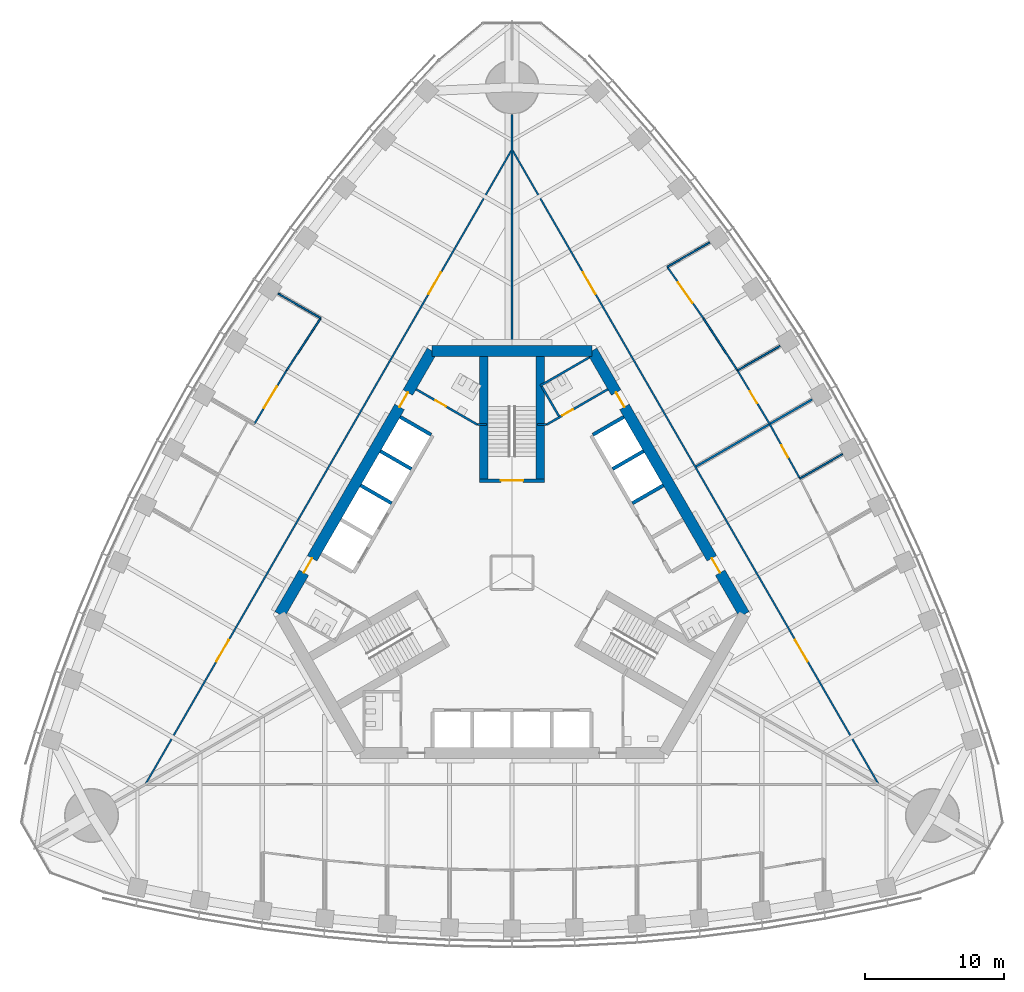
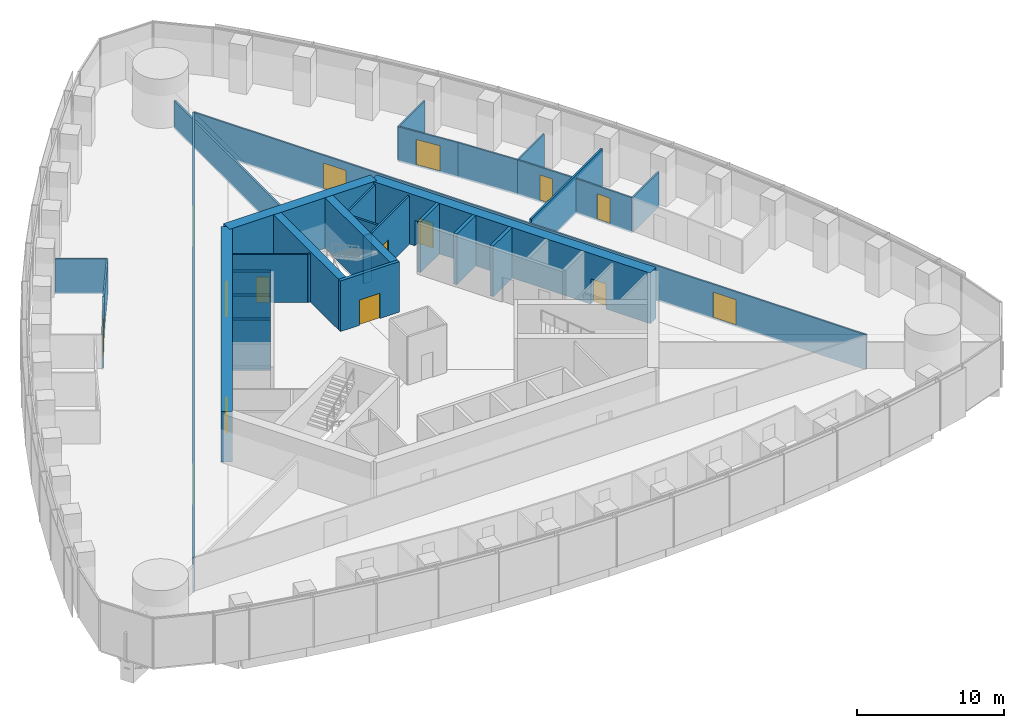
# One storey, part 15 of 21: 32 walls, 15 doors, 15 openings.
"""IFC4 building model written with IfcOpenShell, lengths in metres."""

from ifc_helpers import new_model, si_unit, direction, frame, frame_2d, origin, place, context, subcontext, project, spatial, rectangle, extrude, material, layer, layer_set, type_object, element, fill, save


model = new_model("IFC4")

# Units and contexts
model_context = context("Model", 3, precision=1e-05, world=origin(), true_north=direction((0.0, 1.0)))
body_context = subcontext(model_context, "Body", "Model", "MODEL_VIEW")
ifc_project = project(units=[si_unit("LENGTHUNIT", "METRE"), si_unit("AREAUNIT", "SQUARE_METRE"), si_unit("VOLUMEUNIT", "CUBIC_METRE"), si_unit("PLANEANGLEUNIT", "RADIAN"), si_unit("MASSUNIT", "GRAM", prefix="KILO")], contexts=[model_context])

# Site, building, storey
site_placement = place(None, origin())
site = spatial("IfcSite", under=ifc_project, at=site_placement, CompositionType="ELEMENT")
building_placement = place(site_placement, origin())
building = spatial("IfcBuilding", under=site, at=building_placement, Name="Trefoil Bronze Tower", CompositionType="ELEMENT")
storey_placement = place(building_placement, frame((0.0, 0.0, 145.10009765625)))
storey = spatial("IfcBuildingStorey", under=building, at=storey_placement, Name="L33", CompositionType="ELEMENT", Elevation=145.10009765625)

# Wall, openings, doors
ifc_material_1 = material(Name="Concrete B80", Category="concrete")
ifc_layer_1 = layer(ifc_material_1, 0.800048828125)
ifc_layer_set_1 = layer_set([ifc_layer_1], Name="Core wall 800")
wall_type_1 = type_object("IfcWallType", Name="Core wall 800", PredefinedType="SHEAR", material=ifc_layer_set_1)
wall_1_placement = place(storey_placement, frame((16.7431640625, -3.0, 0.0), z_axis=(0.0, 0.0, 1.0), x_axis=(-0.500002442456, 0.866023993627, 0.0)))
wall_1 = element("IfcWall", 1, at=wall_1_placement, inside=storey, type_object=wall_type_1, Name="Core long wall 2 L33", PredefinedType="SHEAR", context=body_context, shape_type="SweptSolid", body=[
    extrude(rectangle(XDim=21.939453125, YDim=0.800048828125, at=frame_2d((10.9697265625, 0.0))), origin(), (0.0, 0.0, 1.0), 4.199951171875),
])
opening_1_placement = place(wall_1_placement, frame((17.269775390625, 0.0, 0.0)))
opening_1 = element("IfcOpeningElement", 2, at=opening_1_placement, cuts=wall_1, Name="Opening D2", PredefinedType="OPENING", context=body_context, shape_type="SweptSolid", body=[
    extrude(rectangle(XDim=1.199951171875, YDim=2.10009765625, at=frame_2d((0.60009765625, 1.050048828125))), frame((0.0, 0.409912109375, 0.0), z_axis=(0.0, -1.0, 0.0), x_axis=(1.0, 0.0, 0.0)), (0.0, 0.0, 1.0), 0.820068359375),
])
opening_2_placement = place(wall_1_placement, frame((3.4697265625, 0.0, 0.0)))
opening_2 = element("IfcOpeningElement", 3, at=opening_2_placement, cuts=wall_1, Name="Opening D2", PredefinedType="OPENING", context=body_context, shape_type="SweptSolid", body=[
    extrude(rectangle(XDim=1.199951171875, YDim=2.10009765625, at=frame_2d((0.60009765625, 1.050048828125))), frame((0.0, 0.409912109375, 0.0), z_axis=(0.0, -1.0, 0.0), x_axis=(1.0, 0.0, 0.0)), (0.0, 0.0, 1.0), 0.820068359375),
])
ifc_material_2 = material(Name="Steel door", Category="steel")
door_type_1 = type_object("IfcDoorType", Name="Lobby door 1200", OperationType="SINGLE_SWING_RIGHT", PredefinedType="DOOR", material=ifc_material_2)
door_1_placement = place(opening_1_placement, origin())
door_1 = element("IfcDoor", 4, at=door_1_placement, inside=storey, type_object=door_type_1, Name="Lobby door F2+ L33", OperationType="SINGLE_SWING_RIGHT", OverallHeight=2.10009765625, OverallWidth=1.199951171875, PredefinedType="DOOR", context=body_context, shape_type="SweptSolid", body=[
    extrude(rectangle(XDim=1.199951171875, YDim=2.10009765625, at=frame_2d((0.60009765625, 1.050048828125))), frame((0.0, 0.02490234375, 0.0), z_axis=(0.0, -1.0, 0.0), x_axis=(1.0, 0.0, 0.0)), (0.0, 0.0, 1.0), 0.050048828125),
])
fill(opening_1, door_1)
door_2_placement = place(opening_2_placement, origin())
door_2 = element("IfcDoor", 5, at=door_2_placement, inside=storey, type_object=door_type_1, Name="Lobby door F2- L33", OperationType="SINGLE_SWING_LEFT", OverallHeight=2.10009765625, OverallWidth=1.199951171875, PredefinedType="DOOR", context=body_context, shape_type="SweptSolid", body=[
    extrude(rectangle(XDim=1.199951171875, YDim=2.10009765625, at=frame_2d((0.60009765625, 1.050048828125))), frame((0.0, 0.02490234375, 0.0), z_axis=(0.0, -1.0, 0.0), x_axis=(1.0, 0.0, 0.0)), (0.0, 0.0, 1.0), 0.050048828125),
])
fill(opening_2, door_2)

# Wall
wall_2_placement = place(storey_placement, frame((5.7734375, 16.0, 0.0), z_axis=(0.0, 0.0, 1.0), x_axis=(-1.0, 0.0, 0.0)))
element("IfcWall", 6, at=wall_2_placement, inside=storey, type_object=wall_type_1, Name="Core short wall 2 L33", PredefinedType="SHEAR", context=body_context, shape_type="SweptSolid", body=[
    extrude(rectangle(XDim=11.546875, YDim=0.800048828125, at=frame_2d((5.7734375, 0.0))), origin(), (0.0, 0.0, 1.0), 4.199951171875),
])

# Wall, openings, doors
wall_3_placement = place(storey_placement, frame((-5.7734375, 16.0, 0.0), z_axis=(0.0, 0.0, 1.0), x_axis=(-0.500002442456, -0.866023993627, 0.0)))
wall_3 = element("IfcWall", 7, at=wall_3_placement, inside=storey, type_object=wall_type_1, Name="Core long wall 3 L33", PredefinedType="SHEAR", context=body_context, shape_type="SweptSolid", body=[
    extrude(rectangle(XDim=21.939453125, YDim=0.800048828125, at=frame_2d((10.9697265625, 0.0))), origin(), (0.0, 0.0, 1.0), 4.199951171875),
])
opening_3_placement = place(wall_3_placement, frame((17.269775390625, 0.0, 0.0)))
opening_3 = element("IfcOpeningElement", 8, at=opening_3_placement, cuts=wall_3, Name="Opening D2", PredefinedType="OPENING", context=body_context, shape_type="SweptSolid", body=[
    extrude(rectangle(XDim=1.199951171875, YDim=2.10009765625, at=frame_2d((0.60009765625, 1.050048828125))), frame((0.0, 0.409912109375, 0.0), z_axis=(0.0, -1.0, 0.0), x_axis=(1.0, 0.0, 0.0)), (0.0, 0.0, 1.0), 0.820068359375),
])
opening_4_placement = place(wall_3_placement, frame((3.4697265625, 0.0, 0.0)))
opening_4 = element("IfcOpeningElement", 9, at=opening_4_placement, cuts=wall_3, Name="Opening D2", PredefinedType="OPENING", context=body_context, shape_type="SweptSolid", body=[
    extrude(rectangle(XDim=1.199951171875, YDim=2.10009765625, at=frame_2d((0.60009765625, 1.050048828125))), frame((0.0, 0.409912109375, 0.0), z_axis=(0.0, -1.0, 0.0), x_axis=(1.0, 0.0, 0.0)), (0.0, 0.0, 1.0), 0.820068359375),
])
door_3_placement = place(opening_3_placement, origin())
door_3 = element("IfcDoor", 10, at=door_3_placement, inside=storey, type_object=door_type_1, Name="Lobby door F3+ L33", OperationType="SINGLE_SWING_RIGHT", OverallHeight=2.10009765625, OverallWidth=1.199951171875, PredefinedType="DOOR", context=body_context, shape_type="SweptSolid", body=[
    extrude(rectangle(XDim=1.199951171875, YDim=2.10009765625, at=frame_2d((0.60009765625, 1.050048828125))), frame((0.0, 0.02490234375, 0.0), z_axis=(0.0, -1.0, 0.0), x_axis=(1.0, 0.0, 0.0)), (0.0, 0.0, 1.0), 0.050048828125),
])
fill(opening_3, door_3)
door_4_placement = place(opening_4_placement, origin())
door_4 = element("IfcDoor", 11, at=door_4_placement, inside=storey, type_object=door_type_1, Name="Lobby door F3- L33", OperationType="SINGLE_SWING_LEFT", OverallHeight=2.10009765625, OverallWidth=1.199951171875, PredefinedType="DOOR", context=body_context, shape_type="SweptSolid", body=[
    extrude(rectangle(XDim=1.199951171875, YDim=2.10009765625, at=frame_2d((0.60009765625, 1.050048828125))), frame((0.0, 0.02490234375, 0.0), z_axis=(0.0, -1.0, 0.0), x_axis=(1.0, 0.0, 0.0)), (0.0, 0.0, 1.0), 0.050048828125),
])
fill(opening_4, door_4)

ifc_material_3 = material(Name="Glazed partition", Category="glass")
ifc_layer_2 = layer(ifc_material_3, 0.1201171875)
ifc_layer_set_2 = layer_set([ifc_layer_2], Name="Glazed partition 120")
wall_type_2 = type_object("IfcWallType", Name="Glazed partition 120", PredefinedType="PARTITIONING", material=ifc_layer_set_2)
wall_4_placement = place(storey_placement, frame((26.41455078125, -15.2314453125, 0.0), z_axis=(0.0, 0.0, 1.0), x_axis=(-0.50000091641, 0.866024874695, 0.0)))
wall_4 = element("IfcWall", 12, at=wall_4_placement, inside=storey, type_object=wall_type_2, Name="Partition F2 L33", PredefinedType="PARTITIONING", context=body_context, shape_type="SweptSolid", body=[
    extrude(rectangle(XDim=52.79638671875, YDim=0.1201171875, at=frame_2d((26.398193359375, 0.0))), origin(), (0.0, 0.0, 1.0), 2.89990234375),
])
opening_5_placement = place(wall_4_placement, frame((10.199951171875, 0.0, 0.14990234375)))
opening_5 = element("IfcOpeningElement", 13, at=opening_5_placement, cuts=wall_4, Name="Opening D10", PredefinedType="OPENING", context=body_context, shape_type="SweptSolid", body=[
    extrude(rectangle(XDim=1.800048828125, YDim=2.10009765625, at=frame_2d((0.89990234375, 1.050048828125))), frame((0.0, 0.070068359375, 0.0), z_axis=(0.0, -1.0, 0.0), x_axis=(1.0, 0.0, 0.0)), (0.0, 0.0, 1.0), 0.14013671875),
])
opening_6_placement = place(wall_4_placement, frame((40.800048828125, 0.0, 0.14990234375)))
opening_6 = element("IfcOpeningElement", 14, at=opening_6_placement, cuts=wall_4, Name="Opening D10", PredefinedType="OPENING", context=body_context, shape_type="SweptSolid", body=[
    extrude(rectangle(XDim=1.800048828125, YDim=2.10009765625, at=frame_2d((0.89990234375, 1.050048828125))), frame((0.0, 0.070068359375, 0.0), z_axis=(0.0, -1.0, 0.0), x_axis=(1.0, 0.0, 0.0)), (0.0, 0.0, 1.0), 0.14013671875),
])
ifc_material_4 = material(Name="Timber door", Category="wood")
door_type_2 = type_object("IfcDoorType", Name="Double door 1800", OperationType="DOUBLE_DOOR_SINGLE_SWING", PredefinedType="DOOR", material=ifc_material_4)
door_5_placement = place(opening_5_placement, origin())
door_5 = element("IfcDoor", 15, at=door_5_placement, inside=storey, type_object=door_type_2, Name="Corridor door F2 L33", OperationType="DOUBLE_DOOR_SINGLE_SWING", OverallHeight=2.10009765625, OverallWidth=1.800048828125, PredefinedType="DOOR", context=body_context, shape_type="SweptSolid", body=[
    extrude(rectangle(XDim=1.800048828125, YDim=2.10009765625, at=frame_2d((0.89990234375, 1.050048828125))), frame((0.0, 0.02490234375, 0.0), z_axis=(0.0, -1.0, 0.0), x_axis=(1.0, 0.0, 0.0)), (0.0, 0.0, 1.0), 0.050048828125),
])
fill(opening_5, door_5)
door_6_placement = place(opening_6_placement, origin())
door_6 = element("IfcDoor", 16, at=door_6_placement, inside=storey, type_object=door_type_2, Name="Corridor door F2 L33", OperationType="DOUBLE_DOOR_SINGLE_SWING", OverallHeight=2.10009765625, OverallWidth=1.800048828125, PredefinedType="DOOR", context=body_context, shape_type="SweptSolid", body=[
    extrude(rectangle(XDim=1.800048828125, YDim=2.10009765625, at=frame_2d((0.89990234375, 1.050048828125))), frame((0.0, 0.02490234375, 0.0), z_axis=(0.0, -1.0, 0.0), x_axis=(1.0, 0.0, 0.0)), (0.0, 0.0, 1.0), 0.050048828125),
])
fill(opening_6, door_6)

# Wall, opening, door
wall_5_placement = place(storey_placement, frame((18.575927734375, 10.724853515625, 0.0), z_axis=(0.0, 0.0, 1.0), x_axis=(-0.515548366618, 0.856860479703, 0.0)))
wall_5 = element("IfcWall", 17, at=wall_5_placement, inside=storey, type_object=wall_type_2, Name="Partition F2 L33", PredefinedType="PARTITIONING", context=body_context, shape_type="SweptSolid", body=[
    extrude(rectangle(XDim=4.500732421875, YDim=0.1201171875, at=frame_2d((2.25048828125, 0.0))), origin(), (0.0, 0.0, 1.0), 2.89990234375),
])
opening_7_placement = place(wall_5_placement, frame((1.75, 0.0, 0.14990234375)))
opening_7 = element("IfcOpeningElement", 18, at=opening_7_placement, cuts=wall_5, Name="Opening D9", PredefinedType="OPENING", context=body_context, shape_type="SweptSolid", body=[
    extrude(rectangle(XDim=1.0, YDim=2.10009765625, at=frame_2d((0.5, 1.050048828125))), frame((0.0, 0.070068359375, 0.0), z_axis=(0.0, -1.0, 0.0), x_axis=(1.0, 0.0, 0.0)), (0.0, 0.0, 1.0), 0.14013671875),
])
ifc_material_5 = material(Name="Glazed timber door", Category="wood")
door_type_3 = type_object("IfcDoorType", Name="Meeting room door 1000", OperationType="SINGLE_SWING_LEFT", PredefinedType="DOOR", material=ifc_material_5)
door_7_placement = place(opening_7_placement, frame((1.0, 0.0, 0.0), z_axis=(0.0, 0.0, 1.0), x_axis=(-1.0, 0.0, 0.0)))
door_7 = element("IfcDoor", 19, at=door_7_placement, inside=storey, type_object=door_type_3, Name="Meeting room door F2 L33", OperationType="SINGLE_SWING_RIGHT", OverallHeight=2.10009765625, OverallWidth=1.0, PredefinedType="DOOR", context=body_context, shape_type="SweptSolid", body=[
    extrude(rectangle(XDim=1.0, YDim=2.10009765625, at=frame_2d((0.5, 1.050048828125))), frame((0.0, 0.02490234375, 0.0), z_axis=(0.0, -1.0, 0.0), x_axis=(1.0, 0.0, 0.0)), (0.0, 0.0, 1.0), 0.050048828125),
])
fill(opening_7, door_7)

# Wall
wall_6_placement = place(storey_placement, frame((16.255615234375, 14.581298828125, 0.0), z_axis=(0.0, 0.0, 1.0), x_axis=(-0.546069464151, 0.837739900161, 0.0)))
element("IfcWall", 20, at=wall_6_placement, inside=storey, type_object=wall_type_2, Name="Partition F2 L33", PredefinedType="PARTITIONING", context=body_context, shape_type="SweptSolid", body=[
    extrude(rectangle(XDim=4.506591796875, YDim=0.1201171875, at=frame_2d((2.25341796875, 0.0))), origin(), (0.0, 0.0, 1.0), 2.89990234375),
])

# Wall, opening, door
wall_7_placement = place(storey_placement, frame((13.794677734375, 18.356689453125, 0.0), z_axis=(0.0, 0.0, 1.0), x_axis=(-0.575987178736, 0.817458726745, 0.0)))
wall_7 = element("IfcWall", 21, at=wall_7_placement, inside=storey, type_object=wall_type_2, Name="Partition F2 L33", PredefinedType="PARTITIONING", context=body_context, shape_type="SweptSolid", body=[
    extrude(rectangle(XDim=4.518310546875, YDim=0.1201171875, at=frame_2d((2.25927734375, 0.0))), origin(), (0.0, 0.0, 1.0), 2.89990234375),
])
opening_8_placement = place(wall_7_placement, frame((1.35009765625, 0.0, 0.14990234375)))
opening_8 = element("IfcOpeningElement", 22, at=opening_8_placement, cuts=wall_7, Name="Opening D10", PredefinedType="OPENING", context=body_context, shape_type="SweptSolid", body=[
    extrude(rectangle(XDim=1.800048828125, YDim=2.10009765625, at=frame_2d((0.89990234375, 1.050048828125))), frame((0.0, 0.070068359375, 0.0), z_axis=(0.0, -1.0, 0.0), x_axis=(1.0, 0.0, 0.0)), (0.0, 0.0, 1.0), 0.14013671875),
])
door_8_placement = place(opening_8_placement, frame((1.800048828125, 0.0, 0.0), z_axis=(0.0, 0.0, 1.0), x_axis=(-1.0, 0.0, 0.0)))
door_8 = element("IfcDoor", 23, at=door_8_placement, inside=storey, type_object=door_type_2, Name="Kitchen and breakout door F2 L33", OperationType="DOUBLE_DOOR_SINGLE_SWING", OverallHeight=2.10009765625, OverallWidth=1.800048828125, PredefinedType="DOOR", context=body_context, shape_type="SweptSolid", body=[
    extrude(rectangle(XDim=1.800048828125, YDim=2.10009765625, at=frame_2d((0.89990234375, 1.050048828125))), frame((0.0, 0.02490234375, 0.0), z_axis=(0.0, -1.0, 0.0), x_axis=(1.0, 0.0, 0.0)), (0.0, 0.0, 1.0), 0.050048828125),
])
fill(opening_8, door_8)

wall_8_placement = place(storey_placement, frame((20.755615234375, 6.787109375, 0.0), z_axis=(0.0, 0.0, 1.0), x_axis=(-0.484292898211, 0.874905931368, 0.0)))
wall_8 = element("IfcWall", 24, at=wall_8_placement, inside=storey, type_object=wall_type_2, Name="Partition F2 L33", PredefinedType="PARTITIONING", context=body_context, shape_type="SweptSolid", body=[
    extrude(rectangle(XDim=4.500732421875, YDim=0.1201171875, at=frame_2d((2.25048828125, 0.0))), origin(), (0.0, 0.0, 1.0), 2.89990234375),
])
opening_9_placement = place(wall_8_placement, frame((1.75, 0.0, 0.14990234375)))
opening_9 = element("IfcOpeningElement", 25, at=opening_9_placement, cuts=wall_8, Name="Opening D9", PredefinedType="OPENING", context=body_context, shape_type="SweptSolid", body=[
    extrude(rectangle(XDim=1.0, YDim=2.10009765625, at=frame_2d((0.5, 1.050048828125))), frame((0.0, 0.070068359375, 0.0), z_axis=(0.0, -1.0, 0.0), x_axis=(1.0, 0.0, 0.0)), (0.0, 0.0, 1.0), 0.14013671875),
])
door_9_placement = place(opening_9_placement, frame((1.0, 0.0, 0.0), z_axis=(0.0, 0.0, 1.0), x_axis=(-1.0, 0.0, 0.0)))
door_9 = element("IfcDoor", 26, at=door_9_placement, inside=storey, type_object=door_type_3, Name="Meeting room door F2 L33", OperationType="SINGLE_SWING_RIGHT", OverallHeight=2.10009765625, OverallWidth=1.0, PredefinedType="DOOR", context=body_context, shape_type="SweptSolid", body=[
    extrude(rectangle(XDim=1.0, YDim=2.10009765625, at=frame_2d((0.5, 1.050048828125))), frame((0.0, 0.02490234375, 0.0), z_axis=(0.0, -1.0, 0.0), x_axis=(1.0, 0.0, 0.0)), (0.0, 0.0, 1.0), 0.050048828125),
])
fill(opening_9, door_9)

# Walls
wall_9_placement = place(storey_placement, frame((11.192138671875, 22.05029296875, 0.0), z_axis=(0.0, 0.0, 1.0), x_axis=(0.86605108476, 0.499955516607, 0.0)))
element("IfcWall", 27, at=wall_9_placement, inside=storey, type_object=wall_type_2, Name="Partition F2 L33", PredefinedType="PARTITIONING", context=body_context, shape_type="SweptSolid", body=[
    extrude(rectangle(XDim=3.536376953125, YDim=0.1201171875, at=frame_2d((1.76806640625, 0.0))), origin(), (0.0, 0.0, 1.0), 2.89990234375),
])
for number, where, z_axis, x_axis, name in (
    (28, (16.255615234375, 14.581298828125, 0.0), (0.0, 0.0, 1.0), (0.866008926066, 0.500028539159, 0.0), "Partition F2 L33"),
    (29, (20.755615234375, 6.787109375, 0.0), (0.0, 0.0, 1.0), (0.866038754309, 0.499976875499, 0.0), "Partition F2 L33"),
):
    element("IfcWall", number, at=place(storey_placement, frame(where, z_axis=z_axis, x_axis=x_axis)), inside=storey, type_object=wall_type_2, Name=name, PredefinedType="PARTITIONING", context=body_context, shape_type="SweptSolid", body=[
        extrude(rectangle(XDim=3.544189453125, YDim=0.1201171875, at=frame_2d((1.77197265625, 0.0))), origin(), (0.0, 0.0, 1.0), 2.89990234375),
    ])

# Wall, openings, doors
wall_10_placement = place(storey_placement, frame((-0.016357421875, 30.491455078125, 0.0), z_axis=(0.0, 0.0, 1.0), x_axis=(-0.50000091641, -0.866024874695, 0.0)))
wall_10 = element("IfcWall", 30, at=wall_10_placement, inside=storey, type_object=wall_type_2, Name="Partition F3 L33", PredefinedType="PARTITIONING", context=body_context, shape_type="SweptSolid", body=[
    extrude(rectangle(XDim=52.79638671875, YDim=0.1201171875, at=frame_2d((26.398193359375, 0.0))), origin(), (0.0, 0.0, 1.0), 2.89990234375),
])
opening_10_placement = place(wall_10_placement, frame((10.199951171875, 0.0, 0.14990234375)))
opening_10 = element("IfcOpeningElement", 31, at=opening_10_placement, cuts=wall_10, Name="Opening D10", PredefinedType="OPENING", context=body_context, shape_type="SweptSolid", body=[
    extrude(rectangle(XDim=1.800048828125, YDim=2.10009765625, at=frame_2d((0.89990234375, 1.050048828125))), frame((0.0, 0.070068359375, 0.0), z_axis=(0.0, -1.0, 0.0), x_axis=(1.0, 0.0, 0.0)), (0.0, 0.0, 1.0), 0.14013671875),
])
opening_11_placement = place(wall_10_placement, frame((40.800048828125, 0.0, 0.14990234375)))
opening_11 = element("IfcOpeningElement", 32, at=opening_11_placement, cuts=wall_10, Name="Opening D10", PredefinedType="OPENING", context=body_context, shape_type="SweptSolid", body=[
    extrude(rectangle(XDim=1.800048828125, YDim=2.10009765625, at=frame_2d((0.89990234375, 1.050048828125))), frame((0.0, 0.070068359375, 0.0), z_axis=(0.0, -1.0, 0.0), x_axis=(1.0, 0.0, 0.0)), (0.0, 0.0, 1.0), 0.14013671875),
])
door_10_placement = place(opening_10_placement, origin())
door_10 = element("IfcDoor", 33, at=door_10_placement, inside=storey, type_object=door_type_2, Name="Corridor door F3 L33", OperationType="DOUBLE_DOOR_SINGLE_SWING", OverallHeight=2.10009765625, OverallWidth=1.800048828125, PredefinedType="DOOR", context=body_context, shape_type="SweptSolid", body=[
    extrude(rectangle(XDim=1.800048828125, YDim=2.10009765625, at=frame_2d((0.89990234375, 1.050048828125))), frame((0.0, 0.02490234375, 0.0), z_axis=(0.0, -1.0, 0.0), x_axis=(1.0, 0.0, 0.0)), (0.0, 0.0, 1.0), 0.050048828125),
])
fill(opening_10, door_10)
door_11_placement = place(opening_11_placement, origin())
door_11 = element("IfcDoor", 34, at=door_11_placement, inside=storey, type_object=door_type_2, Name="Corridor door F3 L33", OperationType="DOUBLE_DOOR_SINGLE_SWING", OverallHeight=2.10009765625, OverallWidth=1.800048828125, PredefinedType="DOOR", context=body_context, shape_type="SweptSolid", body=[
    extrude(rectangle(XDim=1.800048828125, YDim=2.10009765625, at=frame_2d((0.89990234375, 1.050048828125))), frame((0.0, 0.02490234375, 0.0), z_axis=(0.0, -1.0, 0.0), x_axis=(1.0, 0.0, 0.0)), (0.0, 0.0, 1.0), 0.050048828125),
])
fill(opening_11, door_11)

# Wall, opening, door
wall_11_placement = place(storey_placement, frame((-16.255615234375, 14.581298828125, 0.0), z_axis=(0.0, 0.0, 1.0), x_axis=(-0.515548366618, -0.856860479703, 0.0)))
wall_11 = element("IfcWall", 35, at=wall_11_placement, inside=storey, type_object=wall_type_2, Name="Partition F3 L33", PredefinedType="PARTITIONING", context=body_context, shape_type="SweptSolid", body=[
    extrude(rectangle(XDim=4.500732421875, YDim=0.1201171875, at=frame_2d((2.25048828125, 0.0))), origin(), (0.0, 0.0, 1.0), 2.89990234375),
])
opening_12_placement = place(wall_11_placement, frame((1.35009765625, 0.0, 0.14990234375)))
opening_12 = element("IfcOpeningElement", 36, at=opening_12_placement, cuts=wall_11, Name="Opening D10", PredefinedType="OPENING", context=body_context, shape_type="SweptSolid", body=[
    extrude(rectangle(XDim=1.800048828125, YDim=2.10009765625, at=frame_2d((0.89990234375, 1.050048828125))), frame((0.0, 0.070068359375, 0.0), z_axis=(0.0, -1.0, 0.0), x_axis=(1.0, 0.0, 0.0)), (0.0, 0.0, 1.0), 0.14013671875),
])
door_12_placement = place(opening_12_placement, frame((1.800048828125, 0.0, 0.0), z_axis=(0.0, 0.0, 1.0), x_axis=(-1.0, 0.0, 0.0)))
door_12 = element("IfcDoor", 37, at=door_12_placement, inside=storey, type_object=door_type_2, Name="Library door F3 L33", OperationType="DOUBLE_DOOR_SINGLE_SWING", OverallHeight=2.10009765625, OverallWidth=1.800048828125, PredefinedType="DOOR", context=body_context, shape_type="SweptSolid", body=[
    extrude(rectangle(XDim=1.800048828125, YDim=2.10009765625, at=frame_2d((0.89990234375, 1.050048828125))), frame((0.0, 0.02490234375, 0.0), z_axis=(0.0, -1.0, 0.0), x_axis=(1.0, 0.0, 0.0)), (0.0, 0.0, 1.0), 0.050048828125),
])
fill(opening_12, door_12)

# Walls
wall_12_placement = place(storey_placement, frame((-13.794677734375, 18.356689453125, 0.0), z_axis=(0.0, 0.0, 1.0), x_axis=(-0.546069464151, -0.837739900161, 0.0)))
element("IfcWall", 38, at=wall_12_placement, inside=storey, type_object=wall_type_2, Name="Partition F3 L33", PredefinedType="PARTITIONING", context=body_context, shape_type="SweptSolid", body=[
    extrude(rectangle(XDim=4.506591796875, YDim=0.1201171875, at=frame_2d((2.25341796875, 0.0))), origin(), (0.0, 0.0, 1.0), 2.89990234375),
])
wall_13_placement = place(storey_placement, frame((-13.794677734375, 18.356689453125, 0.0), z_axis=(0.0, 0.0, 1.0), x_axis=(-0.866045526189, 0.499965145353, 0.0)))
element("IfcWall", 39, at=wall_13_placement, inside=storey, type_object=wall_type_2, Name="Partition F3 L33", PredefinedType="PARTITIONING", context=body_context, shape_type="SweptSolid", body=[
    extrude(rectangle(XDim=3.541259765625, YDim=0.1201171875, at=frame_2d((1.7705078125, 0.0))), origin(), (0.0, 0.0, 1.0), 2.89990234375),
])

# Wall, opening, door
ifc_material_6 = material(Name="Gypsum board on steel studs", Category="steel")
ifc_layer_3 = layer(ifc_material_6, 0.14990234375)
ifc_layer_set_3 = layer_set([ifc_layer_3], Name="Partition 150")
wall_type_3 = type_object("IfcWallType", Name="Partition 150", PredefinedType="PARTITIONING", material=ifc_layer_set_3)
wall_14_placement = place(storey_placement, frame((2.4951171875, 10.67822265625, 0.0), z_axis=(0.0, 0.0, 1.0), x_axis=(0.86602216432, 0.500005610874, 0.0)))
wall_14 = element("IfcWall", 40, at=wall_14_placement, inside=storey, type_object=wall_type_3, Name="Passage wall F2+ L33", PredefinedType="PARTITIONING", context=body_context, shape_type="SweptSolid", body=[
    extrude(rectangle(XDim=5.10009765625, YDim=0.14990234375, at=frame_2d((2.550048828125, 0.0))), origin(), (0.0, 0.0, 1.0), 4.0),
])
opening_13_placement = place(wall_14_placement, frame((1.300048828125, 0.0, 0.0)))
opening_13 = element("IfcOpeningElement", 41, at=opening_13_placement, cuts=wall_14, Name="Opening D3", PredefinedType="OPENING", context=body_context, shape_type="SweptSolid", body=[
    extrude(rectangle(XDim=0.89990234375, YDim=2.10009765625, at=frame_2d((0.449951171875, 1.050048828125))), frame((0.0, 0.0849609375, 0.0), z_axis=(0.0, -1.0, 0.0), x_axis=(1.0, 0.0, 0.0)), (0.0, 0.0, 1.0), 0.169921875),
])
ifc_material_7 = material(Name="Timber door", Category="wood")
door_type_4 = type_object("IfcDoorType", Name="WC door 900", OperationType="SINGLE_SWING_LEFT", PredefinedType="DOOR", material=ifc_material_7)
door_13_placement = place(opening_13_placement, origin())
door_13 = element("IfcDoor", 42, at=door_13_placement, inside=storey, type_object=door_type_4, Name="WC (men) door L33", OperationType="SINGLE_SWING_LEFT", OverallHeight=2.10009765625, OverallWidth=0.89990234375, PredefinedType="DOOR", context=body_context, shape_type="SweptSolid", body=[
    extrude(rectangle(XDim=0.89990234375, YDim=2.10009765625, at=frame_2d((0.449951171875, 1.050048828125))), frame((0.0, 0.02490234375, 0.0), z_axis=(0.0, -1.0, 0.0), x_axis=(1.0, 0.0, 0.0)), (0.0, 0.0, 1.0), 0.050048828125),
])
fill(opening_13, door_13)

wall_15_placement = place(storey_placement, frame((-2.4951171875, 10.67822265625, 0.0), z_axis=(0.0, 0.0, 1.0), x_axis=(-0.86602216432, 0.500005610874, 0.0)))
wall_15 = element("IfcWall", 43, at=wall_15_placement, inside=storey, type_object=wall_type_3, Name="Passage wall F3- L33", PredefinedType="PARTITIONING", context=body_context, shape_type="SweptSolid", body=[
    extrude(rectangle(XDim=5.10009765625, YDim=0.14990234375, at=frame_2d((2.550048828125, 0.0))), origin(), (0.0, 0.0, 1.0), 4.0),
])
opening_14_placement = place(wall_15_placement, frame((2.60009765625, 0.0, 0.0)))
opening_14 = element("IfcOpeningElement", 44, at=opening_14_placement, cuts=wall_15, Name="Opening D3", PredefinedType="OPENING", context=body_context, shape_type="SweptSolid", body=[
    extrude(rectangle(XDim=0.89990234375, YDim=2.10009765625, at=frame_2d((0.449951171875, 1.050048828125))), frame((0.0, 0.0849609375, 0.0), z_axis=(0.0, -1.0, 0.0), x_axis=(1.0, 0.0, 0.0)), (0.0, 0.0, 1.0), 0.169921875),
])
door_14_placement = place(opening_14_placement, frame((0.89990234375, 0.0, 0.0), z_axis=(0.0, 0.0, 1.0), x_axis=(-1.0, 0.0, 0.0)))
door_14 = element("IfcDoor", 45, at=door_14_placement, inside=storey, type_object=door_type_4, Name="WC (women) door L33", OperationType="SINGLE_SWING_LEFT", OverallHeight=2.10009765625, OverallWidth=0.89990234375, PredefinedType="DOOR", context=body_context, shape_type="SweptSolid", body=[
    extrude(rectangle(XDim=0.89990234375, YDim=2.10009765625, at=frame_2d((0.449951171875, 1.050048828125))), frame((0.0, 0.02490234375, 0.0), z_axis=(0.0, -1.0, 0.0), x_axis=(1.0, 0.0, 0.0)), (0.0, 0.0, 1.0), 0.050048828125),
])
fill(opening_14, door_14)

# Walls
for number, where, z_axis, x_axis, name in (
    (46, (2.4951171875, 10.67822265625, 0.0), (0.0, 0.0, 1.0), (-1.0, 0.0, 0.0), "WC wall ST2-1 L33"),
    (47, (-2.4951171875, 10.67822265625, 0.0), (0.0, 0.0, 1.0), (1.0, 0.0, 0.0), "WC wall ST2+1 L33"),
):
    element("IfcWall", number, at=place(storey_placement, frame(where, z_axis=z_axis, x_axis=x_axis)), inside=storey, type_object=wall_type_3, Name=name, PredefinedType="PARTITIONING", context=body_context, shape_type="SweptSolid", body=[
        extrude(rectangle(XDim=0.64501953125, YDim=0.14990234375, at=frame_2d((0.322509765625, 0.0))), origin(), (0.0, 0.0, 1.0), 4.0),
    ])
wall_16_placement = place(storey_placement, frame((2.03125, 13.48193359375, 0.0), z_axis=(0.0, 0.0, 1.0), x_axis=(0.866050731258, 0.499956128963, 0.0)))
element("IfcWall", 48, at=wall_16_placement, inside=storey, type_object=wall_type_3, Name="WC partition WC (men) L33", PredefinedType="PARTITIONING", context=body_context, shape_type="SweptSolid", body=[
    extrude(rectangle(XDim=4.099853515625, YDim=0.14990234375, at=frame_2d((2.0498046875, 0.0))), origin(), (0.0, 0.0, 1.0), 4.0),
])
wall_17_placement = place(storey_placement, frame((3.388671875, 11.28076171875, 0.0), z_axis=(0.0, 0.0, 1.0), x_axis=(-0.499989096993, 0.866031698547, 0.0)))
element("IfcWall", 49, at=wall_17_placement, inside=storey, type_object=wall_type_3, Name="WC partition WC (men) L33", PredefinedType="PARTITIONING", context=body_context, shape_type="SweptSolid", body=[
    extrude(rectangle(XDim=2.509765625, YDim=0.14990234375, at=frame_2d((1.2548828125, 0.0))), origin(), (0.0, 0.0, 1.0), 4.0),
])
ifc_material_8 = material(Name="Gypsum board on steel studs", Category="steel")
ifc_layer_4 = layer(ifc_material_8, 0.14990234375)
ifc_layer_set_4 = layer_set([ifc_layer_4], Name="Party wall 150")
wall_type_4 = type_object("IfcWallType", Name="Party wall 150", PredefinedType="PARTITIONING", material=ifc_layer_set_4)
wall_18_placement = place(storey_placement, frame((0.0, 16.39990234375, 0.0), z_axis=(0.0, 0.0, 1.0), x_axis=(0.0, 1.0, 0.0)))
element("IfcWall", 50, at=wall_18_placement, inside=storey, type_object=wall_type_4, Name="Party wall K2 L33", PredefinedType="PARTITIONING", context=body_context, shape_type="SweptSolid", body=[
    extrude(rectangle(XDim=16.650146484375, YDim=0.14990234375, at=frame_2d((8.3251953125, 0.0))), origin(), (0.0, 0.0, 1.0), 2.2998046875),
])
wall_19_placement = place(storey_placement, frame((13.267578125, 7.659912109375, 0.0), z_axis=(0.0, 0.0, 1.0), x_axis=(0.866020011605, 0.500009339412, 0.0)))
element("IfcWall", 51, at=wall_19_placement, inside=storey, type_object=wall_type_4, Name="Demising wall F2 L33", PredefinedType="PARTITIONING", context=body_context, shape_type="SweptSolid", body=[
    extrude(rectangle(XDim=9.674560546875, YDim=0.14990234375, at=frame_2d((4.83740234375, 0.0))), origin(), (0.0, 0.0, 1.0), 3.199951171875),
])
ifc_material_9 = material(Name="Concrete B80", Category="concrete")
ifc_layer_5 = layer(ifc_material_9, 0.25)
ifc_layer_set_5 = layer_set([ifc_layer_5], Name="Shaft wall 250")
wall_type_5 = type_object("IfcWallType", Name="Shaft wall 250", PredefinedType="SHEAR", material=ifc_layer_set_5)
for number, where, z_axis, x_axis, name in (
    (52, (8.681884765625, 5.012451171875, 0.0), (0.0, 0.0, 1.0), (0.866005588531, 0.500034319456, 0.0), "Lift shaft side wall B2 L33"),
    (53, (7.2568359375, 7.480712890625, 0.0), (0.0, 0.0, 1.0), (0.866046643894, 0.499963209246, 0.0), "Lift shaft side wall B3 L33"),
):
    element("IfcWall", number, at=place(storey_placement, frame(where, z_axis=z_axis, x_axis=x_axis)), inside=storey, type_object=wall_type_5, Name=name, PredefinedType="SHEAR", context=body_context, shape_type="SweptSolid", body=[
        extrude(rectangle(XDim=2.574951171875, YDim=0.25, at=frame_2d((1.28759765625, 0.0))), origin(), (0.0, 0.0, 1.0), 4.199951171875),
    ])
for number, where, z_axis, x_axis, name in (
    (54, (5.831787109375, 9.94873046875, 0.0), (0.0, 0.0, 1.0), (0.866029291668, 0.499993265928, 0.0), "Lift shaft side wall B4 L33"),
    (55, (-5.831787109375, 9.94873046875, 0.0), (0.0, 0.0, 1.0), (-0.866029291668, 0.499993265928, 0.0), "Lift shaft side wall C0 L33"),
):
    element("IfcWall", number, at=place(storey_placement, frame(where, z_axis=z_axis, x_axis=x_axis)), inside=storey, type_object=wall_type_5, Name=name, PredefinedType="SHEAR", context=body_context, shape_type="SweptSolid", body=[
        extrude(rectangle(XDim=2.5751953125, YDim=0.25, at=frame_2d((1.28759765625, 0.0))), origin(), (0.0, 0.0, 1.0), 4.199951171875),
    ])
for number, where, z_axis, x_axis, name in (
    (56, (-7.2568359375, 7.480712890625, 0.0), (0.0, 0.0, 1.0), (-0.866046643894, 0.499963209246, 0.0), "Lift shaft side wall C1 L33"),
    (57, (-8.681884765625, 5.012451171875, 0.0), (0.0, 0.0, 1.0), (-0.866005588531, 0.500034319456, 0.0), "Lift shaft side wall C2 L33"),
):
    element("IfcWall", number, at=place(storey_placement, frame(where, z_axis=z_axis, x_axis=x_axis)), inside=storey, type_object=wall_type_5, Name=name, PredefinedType="SHEAR", context=body_context, shape_type="SweptSolid", body=[
        extrude(rectangle(XDim=2.574951171875, YDim=0.25, at=frame_2d((1.28759765625, 0.0))), origin(), (0.0, 0.0, 1.0), 4.199951171875),
    ])

# Wall, opening, door
wall_20_placement = place(storey_placement, frame((2.324951171875, 6.64990234375, 0.0), z_axis=(0.0, 0.0, 1.0), x_axis=(-1.0, 0.0, 0.0)))
wall_20 = element("IfcWall", 58, at=wall_20_placement, inside=storey, type_object=wall_type_5, Name="Stair end wall ST2 L33", PredefinedType="SHEAR", context=body_context, shape_type="SweptSolid", body=[
    extrude(rectangle(XDim=4.64990234375, YDim=0.25, at=frame_2d((2.324951171875, 0.0))), origin(), (0.0, 0.0, 1.0), 4.199951171875),
])
opening_15_placement = place(wall_20_placement, frame((1.52490234375, 0.0, 0.0)))
opening_15 = element("IfcOpeningElement", 59, at=opening_15_placement, cuts=wall_20, Name="Opening D1", PredefinedType="OPENING", context=body_context, shape_type="SweptSolid", body=[
    extrude(rectangle(XDim=1.60009765625, YDim=2.10009765625, at=frame_2d((0.800048828125, 1.050048828125))), frame((0.0, 0.135009765625, 0.0), z_axis=(0.0, -1.0, 0.0), x_axis=(1.0, 0.0, 0.0)), (0.0, 0.0, 1.0), 0.27001953125),
])
ifc_material_10 = material(Name="Steel door", Category="steel")
door_type_5 = type_object("IfcDoorType", Name="Stair door 1600", OperationType="DOUBLE_DOOR_SINGLE_SWING", PredefinedType="DOOR", material=ifc_material_10)
door_15_placement = place(opening_15_placement, frame((1.60009765625, 0.0, 0.0), z_axis=(0.0, 0.0, 1.0), x_axis=(-1.0, 0.0, 0.0)))
door_15 = element("IfcDoor", 60, at=door_15_placement, inside=storey, type_object=door_type_5, Name="Stair door ST2 L33", OperationType="DOUBLE_DOOR_SINGLE_SWING", OverallHeight=2.10009765625, OverallWidth=1.60009765625, PredefinedType="DOOR", context=body_context, shape_type="SweptSolid", body=[
    extrude(rectangle(XDim=1.60009765625, YDim=2.10009765625, at=frame_2d((0.800048828125, 1.050048828125))), frame((0.0, 0.02490234375, 0.0), z_axis=(0.0, -1.0, 0.0), x_axis=(1.0, 0.0, 0.0)), (0.0, 0.0, 1.0), 0.050048828125),
])
fill(opening_15, door_15)

# Walls
ifc_material_11 = material(Name="Concrete B80", Category="concrete")
ifc_layer_6 = layer(ifc_material_11, 0.60009765625)
ifc_layer_set_6 = layer_set([ifc_layer_6], Name="Stair wall 600")
wall_type_6 = type_object("IfcWallType", Name="Stair wall 600", PredefinedType="SHEAR", material=ifc_layer_set_6)
for number, where, z_axis, x_axis, name in (
    (61, (2.02490234375, 6.52490234375, 0.0), (0.0, 0.0, 1.0), (0.0, 1.0, 0.0), "Stair wall ST2 L33"),
    (62, (-2.02490234375, 6.52490234375, 0.0), (0.0, 0.0, 1.0), (0.0, 1.0, 0.0), "Stair wall ST2 L33"),
):
    element("IfcWall", number, at=place(storey_placement, frame(where, z_axis=z_axis, x_axis=x_axis)), inside=storey, type_object=wall_type_6, Name=name, PredefinedType="SHEAR", context=body_context, shape_type="SweptSolid", body=[
        extrude(rectangle(XDim=9.0751953125, YDim=0.60009765625, at=frame_2d((4.53759765625, 0.0))), origin(), (0.0, 0.0, 1.0), 4.199951171875),
    ])

save(model, "model.ifc")
